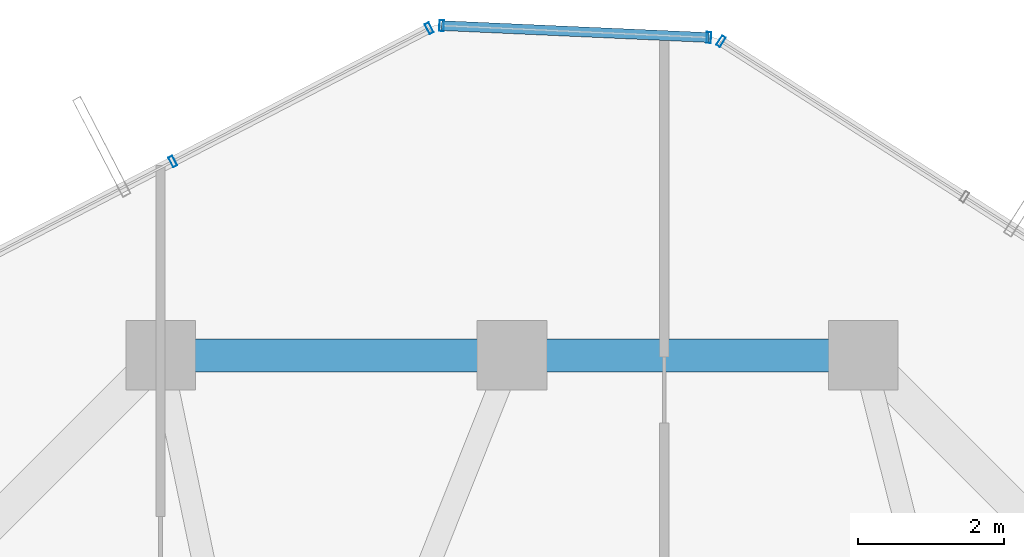
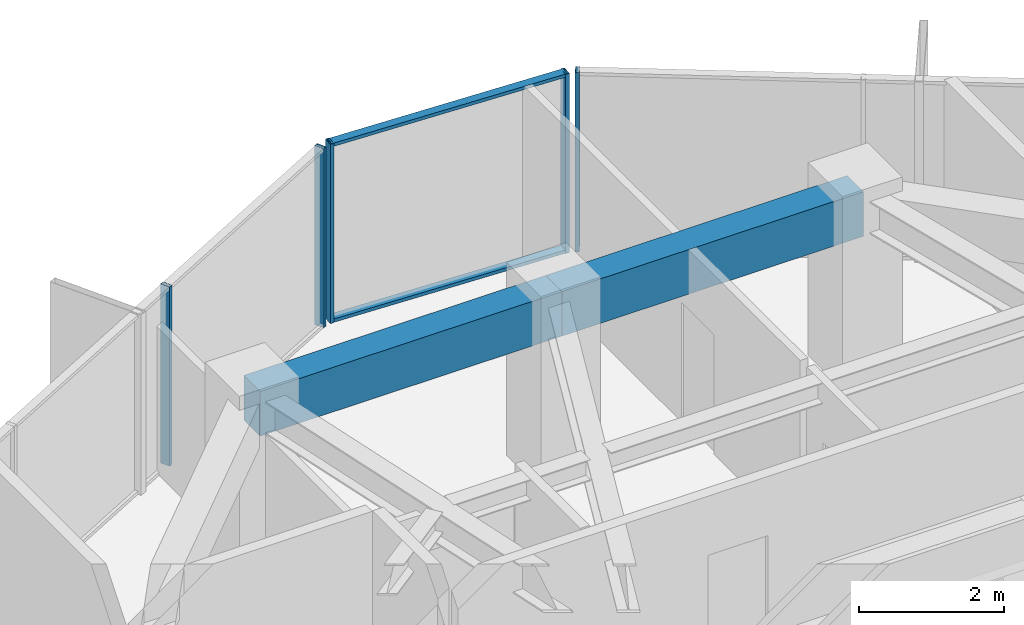
# One storey, part 20 of 29: 7 members, 2 beams, 3 elements without a shape of their own.
"""IFC4 building model written with IfcOpenShell, lengths in metres."""

import ifcopenshell
import ifcopenshell.guid

model = None  # the IFC model being written
_history = None  # IfcOwnerHistory: only IFC2X3 demands one
_inside = {}  # id of a spatial element -> (the spatial element, [elements in it])
_under = {}  # id of a project, library or spatial element -> (it, [spatial elements below it])
_declared = {}  # id of a project -> (the project, [libraries it declares])
_typed = {}  # id of a type object -> (the type object, [elements of that type])
_made_of = {}  # id of a material, layer set ... -> (it, [elements and type objects made of it])


def new_model(schema):
    """Start an empty IFC model of exactly this schema.

    Asked for "IFC4X3", IfcOpenShell would pick the latest addendum, in which some entities
    have other attributes; the version numbers below select the first issue.
    IFC2X3 requires an IfcOwnerHistory on every rooted entity: one is made here for all.
    """
    global model, _history
    if schema == "IFC4X3":
        model = ifcopenshell.file(schema_version=(4, 3, 0, 0))
    else:
        model = ifcopenshell.file(schema=schema)
    _inside.clear()
    _under.clear()
    _declared.clear()
    _typed.clear()
    _made_of.clear()
    _history = None
    if model.schema == "IFC2X3":
        org = make("IfcOrganization", Name="unknown")
        user = make(
            "IfcPersonAndOrganization",
            ThePerson=make("IfcPerson", FamilyName="unknown"),
            TheOrganization=org,
        )
        app = make(
            "IfcApplication",
            ApplicationDeveloper=org,
            Version="unknown",
            ApplicationFullName="unknown",
            ApplicationIdentifier="unknown",
        )
        _history = make(
            "IfcOwnerHistory",
            OwningUser=user,
            OwningApplication=app,
            ChangeAction="ADDED",
            CreationDate=0,
        )
    return model


def make(cls, **values):
    """One entity of the class cls with the attributes given. An attribute that is None is left unset."""
    return model.create_entity(
        cls, **{name: value for name, value in values.items() if value is not None}
    )


def rooted(cls, **values):
    """An entity with a GlobalId (a new one), such as an element, a storey or a relation."""
    return make(cls, GlobalId=ifcopenshell.guid.new(), OwnerHistory=_history, **values)


def si_unit(unit_type, name, prefix=None):
    """IfcSIUnit, for example si_unit("LENGTHUNIT", "METRE", prefix="MILLI")."""
    return make("IfcSIUnit", UnitType=unit_type, Prefix=prefix, Name=name)


def assignment(units):
    """IfcUnitAssignment: the units of a project."""
    return None if units is None else make("IfcUnitAssignment", Units=units)


def point(xyz):
    """IfcCartesianPoint."""
    return None if xyz is None else make("IfcCartesianPoint", Coordinates=xyz)


def direction(xyz):
    """IfcDirection."""
    return None if xyz is None else make("IfcDirection", DirectionRatios=xyz)


def frame(location, z_axis=None, x_axis=None):
    """IfcAxis2Placement3D, a coordinate frame: its origin and axes. An axis left out is left unset."""
    return make(
        "IfcAxis2Placement3D",
        Location=point(location),
        Axis=direction(z_axis),
        RefDirection=direction(x_axis),
    )


def frame_2d(location, x_axis=None):
    """IfcAxis2Placement2D, a coordinate frame in the plane: its origin and x axis."""
    return make(
        "IfcAxis2Placement2D", Location=point(location), RefDirection=direction(x_axis)
    )


def origin():
    """The frame at (0, 0, 0) with its axes left unset."""
    return frame((0.0, 0.0, 0.0))


def origin_2d():
    """The frame at (0, 0) in the plane with its x axis left unset."""
    return frame_2d((0.0, 0.0))


def place(relative_to, where):
    """IfcLocalPlacement: puts the frame where relative to a parent placement (None: the world)."""
    return make(
        "IfcLocalPlacement", PlacementRelTo=relative_to, RelativePlacement=where
    )


def context(
    kind, dimensions, precision=None, world=None, true_north=None, identifier=None
):
    """IfcGeometricRepresentationContext, for example the 3D "Model" context."""
    return make(
        "IfcGeometricRepresentationContext",
        ContextIdentifier=identifier,
        ContextType=kind,
        CoordinateSpaceDimension=dimensions,
        Precision=precision,
        WorldCoordinateSystem=world,
        TrueNorth=true_north,
    )


def subcontext(parent, identifier, kind, view, scale=None):
    """IfcGeometricRepresentationSubContext, for example "Body" below "Model"."""
    return make(
        "IfcGeometricRepresentationSubContext",
        ContextIdentifier=identifier,
        ContextType=kind,
        ParentContext=parent,
        TargetScale=scale,
        TargetView=view,
    )


def project(units=None, contexts=None):
    """IfcProject with its units and contexts."""
    return rooted(
        "IfcProject",
        Name="project",
        RepresentationContexts=contexts,
        UnitsInContext=assignment(units),
    )


def spatial(cls, under=None, at=None, **own):
    """A site, building, storey or space (cls), placed at a placement, below another one or the project."""
    s = rooted(cls, ObjectPlacement=at, **own)
    if under is not None:
        _under.setdefault(under.id(), (under, []))[1].append(s)
    return s


def profile(cls, at=None, kind="AREA", **sizes):
    """A parametric profile (cls). Its sizes go by their IFC names, for example OverallWidth=200.0."""
    return make(cls, ProfileType=kind, Position=at, **sizes)


def rectangle(**sizes):
    """IfcRectangleProfileDef."""
    return profile("IfcRectangleProfileDef", **sizes)


def hollow_rectangle(**sizes):
    """IfcRectangleHollowProfileDef."""
    return profile("IfcRectangleHollowProfileDef", **sizes)


def extrude(swept, where, along, depth):
    """IfcExtrudedAreaSolid: the profile swept, set in the frame where, extruded along a direction by depth."""
    return make(
        "IfcExtrudedAreaSolid",
        SweptArea=swept,
        Position=where,
        ExtrudedDirection=direction(along),
        Depth=depth,
    )


def shape(context_of_items, identifier, shape_type, items):
    """IfcShapeRepresentation: the items that make up one representation, for example the "Body"."""
    return make(
        "IfcShapeRepresentation",
        ContextOfItems=context_of_items,
        RepresentationIdentifier=identifier,
        RepresentationType=shape_type,
        Items=items,
    )


def source(mapping_origin, context_of_items, identifier, shape_type, items):
    """IfcRepresentationMap: a shape defined once, which mapped items show again and again."""
    return make(
        "IfcRepresentationMap",
        MappingOrigin=mapping_origin,
        MappedRepresentation=shape(context_of_items, identifier, shape_type, items),
    )


def transform(
    local_origin,
    x_axis=None,
    y_axis=None,
    z_axis=None,
    scale=None,
    scale2=None,
    scale3=None,
    uniform=True,
):
    """IfcCartesianTransformationOperator3D, or its non-uniform kind. x_axis, y_axis, z_axis: its Axis1, 2, 3."""
    if uniform:
        return make(
            "IfcCartesianTransformationOperator3D",
            Axis1=direction(x_axis),
            Axis2=direction(y_axis),
            LocalOrigin=point(local_origin),
            Scale=scale,
            Axis3=direction(z_axis),
        )
    return make(
        "IfcCartesianTransformationOperator3DnonUniform",
        Axis1=direction(x_axis),
        Axis2=direction(y_axis),
        LocalOrigin=point(local_origin),
        Scale=scale,
        Axis3=direction(z_axis),
        Scale2=scale2,
        Scale3=scale3,
    )


def mapped(mapping_source, mapping_target):
    """IfcMappedItem: shows the shape of a source again, moved by a transform."""
    return make(
        "IfcMappedItem", MappingSource=mapping_source, MappingTarget=mapping_target
    )


def material(Name=None, Category=None):
    """IfcMaterial."""
    return make("IfcMaterial", Name=Name, Category=Category)


def layer(
    of_material, thickness, ventilated=None, Name=None, Category=None, Priority=None
):
    """IfcMaterialLayer: one layer of a wall or slab, of a material (None: an air gap)."""
    return make(
        "IfcMaterialLayer",
        Material=of_material,
        LayerThickness=thickness,
        IsVentilated=ventilated,
        Name=Name,
        Category=Category,
        Priority=Priority,
    )


def layer_set(layers, Name=None):
    """IfcMaterialLayerSet."""
    return make("IfcMaterialLayerSet", MaterialLayers=layers, LayerSetName=Name)


def material_profile(
    of_material, cross_section, Name=None, Category=None, Priority=None
):
    """IfcMaterialProfile: a cross section and its material."""
    return make(
        "IfcMaterialProfile",
        Name=Name,
        Material=of_material,
        Profile=cross_section,
        Priority=Priority,
        Category=Category,
    )


def profile_set(profiles, Name=None, composite=None):
    """IfcMaterialProfileSet."""
    return make(
        "IfcMaterialProfileSet",
        Name=Name,
        MaterialProfiles=profiles,
        CompositeProfile=composite,
    )


def made_of(thing, what):
    """Note that an element or type object is made of a material, layer set ...; save() writes the relation."""
    if what is not None:
        _made_of.setdefault(what.id(), (what, []))[1].append(thing)
    return thing


def type_object(cls, material=None, **own):
    """A type object (cls), such as IfcWallType, which elements share."""
    return made_of(rooted(cls, **own), material)


def element(
    cls,
    number,
    at=None,
    inside=None,
    cuts=None,
    type_object=None,
    material=None,
    context=None,
    identifier="Body",
    shape_type=None,
    held_by="IfcProductDefinitionShape",
    body=None,
    shapes=None,
    **own,
):
    """One element of the class cls, such as IfcWall. Its Tag is "e" and its number.

    at: its placement. inside: the storey or other place that contains it. cuts: it is an
    opening in that element (IfcRelVoidsElement). A single representation is given by context,
    identifier, shape_type and body (its items); several are given by shapes. held_by: the class
    of the entity that holds the representations. save() writes the other relations.
    """
    e = rooted(cls, Tag="e%d" % number, ObjectPlacement=at, **own)
    if body is not None:
        shapes = [shape(context, identifier, shape_type, body)]
    if shapes is not None:
        e.Representation = make(held_by, Representations=shapes)
    if inside is not None:
        _inside.setdefault(inside.id(), (inside, []))[1].append(e)
    if cuts is not None:
        rooted(
            "IfcRelVoidsElement", RelatingBuildingElement=cuts, RelatedOpeningElement=e
        )
    if type_object is not None:
        _typed.setdefault(type_object.id(), (type_object, []))[1].append(e)
    return made_of(e, material)


def aggregate(whole, parts):
    """IfcRelAggregates: a whole, such as a stair, and the parts it consists of."""
    return rooted("IfcRelAggregates", RelatingObject=whole, RelatedObjects=parts)


def save(model, path):
    """Write the relations noted so far, then the file.

    IfcRelAggregates (storeys below a building ...), IfcRelContainedInSpatialStructure (elements
    in a storey), IfcRelDefinesByType, IfcRelAssociatesMaterial and IfcRelDeclares: one each for
    every whole, place, type object, material and project.
    """
    for whole, parts in _under.values():
        aggregate(whole, parts)
    for where, things in _inside.values():
        rooted(
            "IfcRelContainedInSpatialStructure",
            RelatedElements=things,
            RelatingStructure=where,
        )
    for kind, things in _typed.values():
        rooted("IfcRelDefinesByType", RelatedObjects=things, RelatingType=kind)
    for what, things in _made_of.values():
        rooted("IfcRelAssociatesMaterial", RelatedObjects=things, RelatingMaterial=what)
    for by, libraries in _declared.values():
        rooted("IfcRelDeclares", RelatingContext=by, RelatedDefinitions=libraries)
    model.write(path)


model = new_model("IFC4")

# Units and contexts
model_context = context("Model", 3, precision=1e-05, world=origin(), true_north=direction((0.0, 1.0)))
body_context = subcontext(model_context, "Body", "Model", "MODEL_VIEW")
ifc_project = project(units=[si_unit("LENGTHUNIT", "METRE"), si_unit("AREAUNIT", "SQUARE_METRE"), si_unit("VOLUMEUNIT", "CUBIC_METRE"), si_unit("PLANEANGLEUNIT", "RADIAN"), si_unit("MASSUNIT", "GRAM", prefix="KILO")], contexts=[model_context])

# Site, building, storey
site_placement = place(None, origin())
site = spatial("IfcSite", under=ifc_project, at=site_placement, CompositionType="ELEMENT")
building_placement = place(site_placement, origin())
building = spatial("IfcBuilding", under=site, at=building_placement, Name="Veraguas Prism Commons", CompositionType="ELEMENT")
storey_placement = place(building_placement, frame((0.0, 0.0, 215.64990234375)))
storey = spatial("IfcBuildingStorey", under=building, at=storey_placement, Name="L61", CompositionType="ELEMENT", Elevation=215.64990234375)

# Beams
ifc_material_1 = material(Name="Concrete C50/60", Category="concrete")
ifc_material_profile_1 = material_profile(ifc_material_1, rectangle(XDim=0.449951171875, YDim=0.75, at=origin_2d()), Name="RC450X750")
ifc_profile_set_1 = profile_set([ifc_material_profile_1], Name="Concrete C50/60")
beam_type = type_object("IfcBeamType", Name="Perimeter Spandrel Upper RC 450x750", PredefinedType="SPANDREL", material=ifc_profile_set_1)
for number, where, z_axis, x_axis, name in (
    (1, (28.800048828125, 38.89990234375, 2.64013671875), (-1.0, 0.0, 0.0), (0.0, -1.0, 0.0), "Perimeter Spandrel Beam L61-SP04"),
    (2, (24.0, 38.89990234375, 2.64013671875), (-1.0, 0.0, 0.0), (0.0, -1.0, 0.0), "Perimeter Spandrel Beam L61-SP05"),
):
    element("IfcBeam", number, at=place(storey_placement, frame(where, z_axis=z_axis, x_axis=x_axis)), inside=storey, type_object=beam_type, Name=name, PredefinedType="SPANDREL", context=body_context, shape_type="SweptSolid", body=[
        extrude(rectangle(XDim=0.449951171875, YDim=0.75, at=origin_2d()), origin(), (0.0, 0.0, 1.0), 4.800048828125),
    ])

# Curtain wall, members
ifc_material_2 = material(Name="Anodised aluminium EN AW-6063 T6", Category="aluminium")
ifc_layer = layer(ifc_material_2, 0.14990234375, Name="Unitised Flush Curtain Wall Zone 3", Category="aluminium")
ifc_layer_set = layer_set([ifc_layer], Name="Anodised aluminium EN AW-6063 T6")
curtain_wall_type = type_object("IfcCurtainWallType", Name="Unitised Flush Curtain Wall Zone 3", PredefinedType="NOTDEFINED", material=ifc_layer_set)
curtain_wall_1_placement = place(storey_placement, origin())
curtain_wall_1 = element("IfcCurtainWall", 3, at=curtain_wall_1_placement, inside=storey, type_object=curtain_wall_type, Name="Chamfer Curtain Wall L61-C2", PredefinedType="NOTDEFINED")
ifc_material_profile_2 = material_profile(ifc_material_2, hollow_rectangle(XDim=0.054931640625, YDim=0.135009765625, WallThickness=0.0029296875, at=origin_2d()), Name="AL55X135X3")
ifc_profile_set_2 = profile_set([ifc_material_profile_2], Name="Anodised aluminium EN AW-6063 T6")
member_type_1 = type_object("IfcMemberType", Name="Curtain Wall Transom Standard AL 55x135x3", PredefinedType="USERDEFINED", material=ifc_profile_set_2)
shared_shape_1 = source(origin(), body_context, "Body", "SweptSolid", [
    extrude(hollow_rectangle(XDim=0.054931640625, YDim=0.135009765625, WallThickness=0.0029296875, at=origin_2d()), origin(), (0.0, 0.0, 1.0), 3.654296875),
])
member_1_placement = place(storey_placement, frame((26.689208984375, 43.2421875, 0.027587890625), z_axis=(-0.999003638784, 0.044628798951, 0.0), x_axis=(0.0, 0.0, 1.0)))
member_1 = element("IfcMember", 4, at=member_1_placement, type_object=member_type_1, Name="CW-Z3 Transom 1", ObjectType="TRANSOM", PredefinedType="USERDEFINED", context=body_context, shape_type="MappedRepresentation", body=[
    mapped(shared_shape_1, transform((0.0, 0.0, 0.0), scale=1.0)),
])
member_2_placement = place(storey_placement, frame((26.689208984375, 43.2421875, 2.987548828125), z_axis=(-0.999003638784, 0.044628798951, 0.0), x_axis=(0.0, 0.0, 1.0)))
member_2 = element("IfcMember", 5, at=member_2_placement, type_object=member_type_1, Name="CW-Z3 Transom 2", ObjectType="TRANSOM", PredefinedType="USERDEFINED", context=body_context, shape_type="MappedRepresentation", body=[
    mapped(shared_shape_1, transform((0.0, 0.0, 0.0), scale=1.0)),
])

# Curtain wall, member
curtain_wall_2_placement = place(storey_placement, origin())
curtain_wall_2 = element("IfcCurtainWall", 6, at=curtain_wall_2_placement, inside=storey, type_object=curtain_wall_type, Name="Tower Facade Curtain Wall L61-F1", PredefinedType="NOTDEFINED")
ifc_material_profile_3 = material_profile(ifc_material_2, hollow_rectangle(XDim=0.06005859375, YDim=0.14990234375, WallThickness=0.0029296875, at=origin_2d()), Name="AL60X150X3")
ifc_profile_set_3 = profile_set([ifc_material_profile_3], Name="Anodised aluminium EN AW-6063 T6")
member_type_2 = type_object("IfcMemberType", Name="Curtain Wall Mullion Upper AL 60x150x3", PredefinedType="MULLION", material=ifc_profile_set_3)
shared_shape_2 = source(origin(), body_context, "Body", "SweptSolid", [
    extrude(hollow_rectangle(XDim=0.06005859375, YDim=0.14990234375, WallThickness=0.0029296875, at=origin_2d()), origin(), (0.0, 0.0, 1.0), 3.01513671875),
])
member_3_placement = place(storey_placement, frame((26.85498046875, 43.189697265625, 0.0), z_axis=(0.0, 0.0, 1.0), x_axis=(-0.842828324641, 0.538182511035, 0.0)))
member_3 = element("IfcMember", 7, at=member_3_placement, type_object=member_type_2, Name="CW-Z3 Mullion 5", PredefinedType="MULLION", context=body_context, shape_type="MappedRepresentation", body=[
    mapped(shared_shape_2, transform((0.0, 0.0, 0.0), scale=1.0)),
])
aggregate(curtain_wall_2, [member_3])

# Curtain wall, members
curtain_wall_3_placement = place(storey_placement, origin())
curtain_wall_3 = element("IfcCurtainWall", 8, at=curtain_wall_3_placement, inside=storey, type_object=curtain_wall_type, Name="Tower Facade Curtain Wall L61-F2", PredefinedType="NOTDEFINED")
member_4_placement = place(storey_placement, frame((22.868896484375, 43.367919921875, 0.0), z_axis=(0.0, 0.0, 1.0), x_axis=(-0.887493888749, -0.46081948465, 0.0)))
member_4 = element("IfcMember", 9, at=member_4_placement, type_object=member_type_2, Name="CW-Z3 Mullion 1", PredefinedType="MULLION", context=body_context, shape_type="MappedRepresentation", body=[
    mapped(shared_shape_2, transform((0.0, 0.0, 0.0), scale=1.0)),
])
member_5_placement = place(storey_placement, frame((19.3671875, 41.5498046875, 0.0), z_axis=(0.0, 0.0, 1.0), x_axis=(-0.887493888749, -0.46081948465, 0.0)))
member_5 = element("IfcMember", 10, at=member_5_placement, type_object=member_type_2, Name="CW-Z3 Mullion 2", PredefinedType="MULLION", context=body_context, shape_type="MappedRepresentation", body=[
    mapped(shared_shape_2, transform((0.0, 0.0, 0.0), scale=1.0)),
])
aggregate(curtain_wall_3, [member_4, member_5])

# Member
member_6_placement = place(storey_placement, frame((26.689208984375, 43.2421875, 0.0), z_axis=(0.0, 0.0, 1.0), x_axis=(-0.999003242593, 0.044637666692, 0.0)))
member_6 = element("IfcMember", 11, at=member_6_placement, type_object=member_type_2, Name="CW-Z3 Mullion 1", PredefinedType="MULLION", context=body_context, shape_type="MappedRepresentation", body=[
    mapped(shared_shape_2, transform((0.0, 0.0, 0.0), scale=1.0)),
])

member_7_placement = place(storey_placement, frame((23.03857421875, 43.4052734375, 0.0), z_axis=(0.0, 0.0, 1.0), x_axis=(-0.999003242593, 0.044637666692, 0.0)))
member_7 = element("IfcMember", 12, at=member_7_placement, type_object=member_type_2, Name="CW-Z3 Mullion 2", PredefinedType="MULLION", context=body_context, shape_type="MappedRepresentation", body=[
    mapped(shared_shape_2, transform((0.0, 0.0, 0.0), scale=1.0)),
])

aggregate(curtain_wall_1, [member_6, member_7, member_1, member_2])

save(model, "model.ifc")
